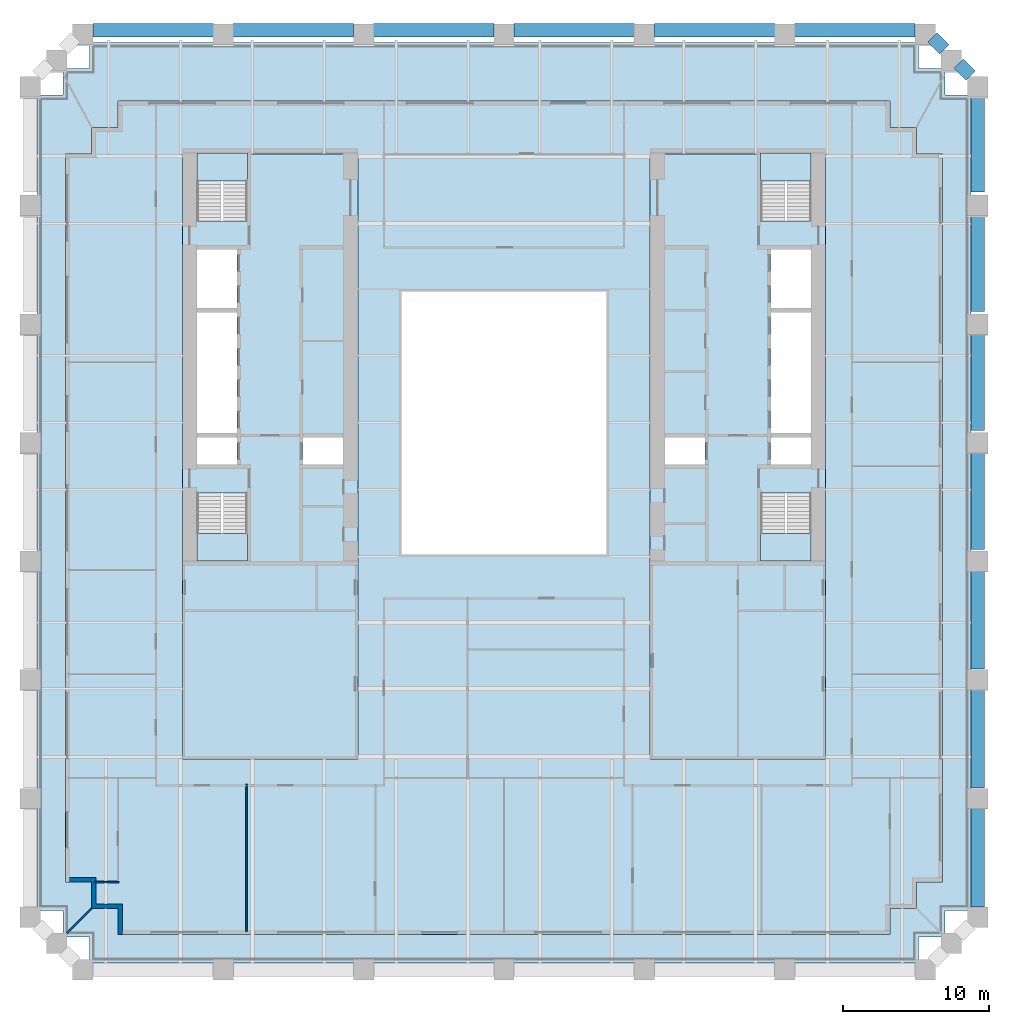
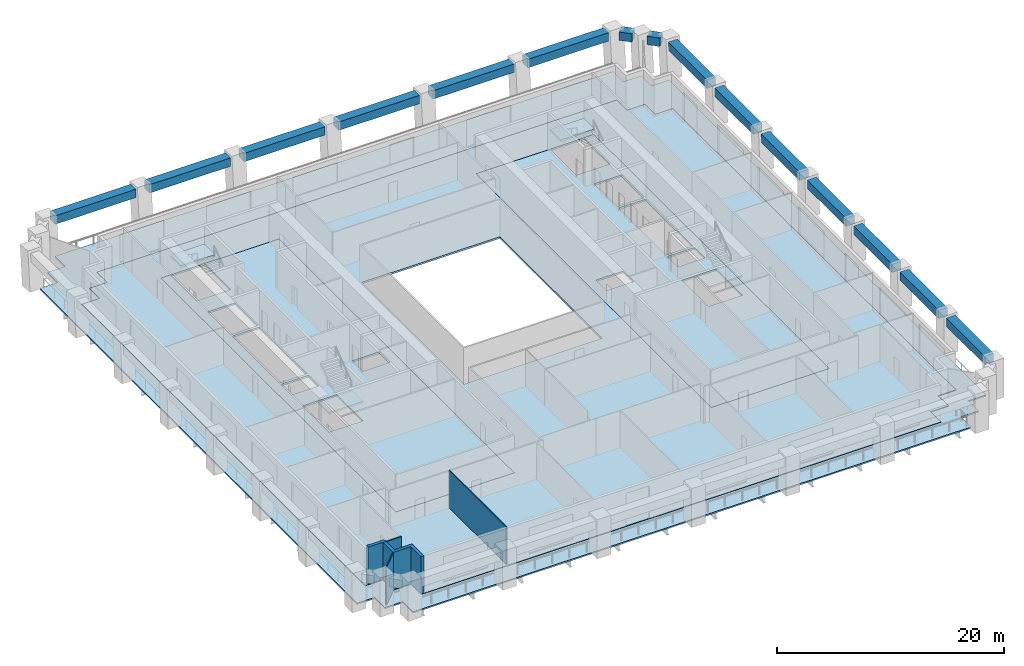
# One storey, part 2 of 9: 15 beams, 8 slabs, 4 walls, 4 elements without a shape of their own.
"""IFC4 building model written with IfcOpenShell, lengths in metres."""

from ifc_helpers import new_model, si_unit, direction, frame, frame_2d, origin, origin_2d, place, context, subcontext, project, spatial, polyline, rectangle, outline, extrude, material, layer, layer_set, material_profile, profile_set, type_object, element, aggregate, save


model = new_model("IFC4")

# Units and contexts
model_context = context("Model", 3, precision=1e-05, world=origin(), true_north=direction((0.0, 1.0)))
body_context = subcontext(model_context, "Body", "Model", "MODEL_VIEW")
ifc_project = project(units=[si_unit("LENGTHUNIT", "METRE"), si_unit("AREAUNIT", "SQUARE_METRE"), si_unit("VOLUMEUNIT", "CUBIC_METRE"), si_unit("PLANEANGLEUNIT", "RADIAN"), si_unit("MASSUNIT", "GRAM", prefix="KILO")], contexts=[model_context])

# Site, building, storey
site_placement = place(None, origin())
site = spatial("IfcSite", under=ifc_project, at=site_placement, CompositionType="ELEMENT")
building_placement = place(site_placement, origin())
building = spatial("IfcBuilding", under=site, at=building_placement, Name="Ogive Exchange Tower", CompositionType="ELEMENT")
storey_placement = place(building_placement, frame((0.0, 0.0, 56.39990234375)))
storey = spatial("IfcBuildingStorey", under=building, at=storey_placement, Name="L11", CompositionType="ELEMENT", Elevation=56.39990234375)

# Beams
ifc_material_1 = material(Name="Precast concrete C70/85 (limestone faced)", Category="masonry")
ifc_material_profile = material_profile(ifc_material_1, rectangle(XDim=0.89990234375, YDim=0.89990234375, at=origin_2d()), Name="900 x 900")
ifc_profile_set = profile_set([ifc_material_profile], Name="Precast concrete C70/85 (limestone faced)")
beam_type = type_object("IfcBeamType", Name="Precast spandrel 900 x 900 C70/85", PredefinedType="SPANDREL", material=ifc_profile_set)
for number, where, z_axis, x_axis, name in (
    (1, (32.39990234375, -26.1201171875, 3.5), (0.0, 1.0, 0.0), (-1.0, 0.0, 0.0), "Spandrel 9"),
    (2, (32.39990234375, -17.969482421875, 3.5), (0.0, 1.0, 0.0), (-1.0, 0.0, 0.0), "Spandrel 10"),
):
    element("IfcBeam", number, at=place(storey_placement, frame(where, z_axis=z_axis, x_axis=x_axis)), inside=storey, type_object=beam_type, Name=name, PredefinedType="SPANDREL", context=body_context, shape_type="SweptSolid", body=[
        extrude(rectangle(XDim=0.89990234375, YDim=0.89990234375, at=origin_2d()), origin(), (0.0, 0.0, 1.0), 6.790771484375),
    ])
beam_1_placement = place(storey_placement, frame((32.39990234375, -9.818603515625, 3.5), z_axis=(0.0, 1.0, 0.0), x_axis=(-1.0, 0.0, 0.0)))
element("IfcBeam", 3, at=beam_1_placement, inside=storey, type_object=beam_type, Name="Spandrel 11", PredefinedType="SPANDREL", context=body_context, shape_type="SweptSolid", body=[
    extrude(rectangle(XDim=0.89990234375, YDim=0.89990234375, at=origin_2d()), origin(), (0.0, 0.0, 1.0), 6.79052734375),
])
beam_2_placement = place(storey_placement, frame((32.39990234375, -1.668212890625, 3.5), z_axis=(0.0, 1.0, 0.0), x_axis=(-1.0, 0.0, 0.0)))
element("IfcBeam", 4, at=beam_2_placement, inside=storey, type_object=beam_type, Name="Spandrel 12", PredefinedType="SPANDREL", context=body_context, shape_type="SweptSolid", body=[
    extrude(rectangle(XDim=0.89990234375, YDim=0.89990234375, at=origin_2d()), origin(), (0.0, 0.0, 1.0), 6.790771484375),
])
for number, where, z_axis, x_axis, name in (
    (5, (32.39990234375, 6.482666015625, 3.5), (0.0, 1.0, 0.0), (-1.0, 0.0, 0.0), "Spandrel 13"),
    (6, (32.39990234375, 14.63330078125, 3.5), (0.0, 1.0, 0.0), (-1.0, 0.0, 0.0), "Spandrel 14"),
    (7, (32.39990234375, 22.783935546875, 3.5), (0.0, 1.0, 0.0), (-1.0, 0.0, 0.0), "Spandrel 15"),
):
    element("IfcBeam", number, at=place(storey_placement, frame(where, z_axis=z_axis, x_axis=x_axis)), inside=storey, type_object=beam_type, Name=name, PredefinedType="SPANDREL", context=body_context, shape_type="SweptSolid", body=[
        extrude(rectangle(XDim=0.89990234375, YDim=0.89990234375, at=origin_2d()), origin(), (0.0, 0.0, 1.0), 6.79052734375),
    ])
for number, where, z_axis, x_axis, name in (
    (8, (31.912109375, 30.742431640625, 3.5), (-0.707106781187, 0.707106781187, 0.0), (-0.707106781187, -0.707106781187, 0.0), "Spandrel 16"),
    (9, (30.112060546875, 32.54248046875, 3.5), (-0.707106781187, 0.707106781187, 0.0), (-0.707106781187, -0.707106781187, 0.0), "Spandrel 17"),
):
    element("IfcBeam", number, at=place(storey_placement, frame(where, z_axis=z_axis, x_axis=x_axis)), inside=storey, type_object=beam_type, Name=name, PredefinedType="SPANDREL", context=body_context, shape_type="SweptSolid", body=[
        extrude(rectangle(XDim=0.89990234375, YDim=0.89990234375, at=origin_2d()), origin(), (0.0, 0.0, 1.0), 1.16552734375),
    ])
beam_3_placement = place(storey_placement, frame((28.1201171875, 33.8544921875, 3.5), z_axis=(-1.0, 0.0, 0.0), x_axis=(0.0, -1.0, 0.0)))
element("IfcBeam", 10, at=beam_3_placement, inside=storey, type_object=beam_type, Name="Spandrel 18", PredefinedType="SPANDREL", context=body_context, shape_type="SweptSolid", body=[
    extrude(rectangle(XDim=0.89990234375, YDim=0.89990234375, at=origin_2d()), origin(), (0.0, 0.0, 1.0), 8.240234375),
])
for number, where, z_axis, x_axis, name in (
    (11, (18.52001953125, 33.8544921875, 3.5), (-1.0, 0.0, 0.0), (0.0, -1.0, 0.0), "Spandrel 19"),
    (12, (8.919921875, 33.8544921875, 3.5), (-1.0, 0.0, 0.0), (0.0, -1.0, 0.0), "Spandrel 20"),
    (13, (-0.679931640625, 33.8544921875, 3.5), (-1.0, 0.0, 0.0), (0.0, -1.0, 0.0), "Spandrel 21"),
    (14, (-10.280029296875, 33.8544921875, 3.5), (-1.0, 0.0, 0.0), (0.0, -1.0, 0.0), "Spandrel 22"),
):
    element("IfcBeam", number, at=place(storey_placement, frame(where, z_axis=z_axis, x_axis=x_axis)), inside=storey, type_object=beam_type, Name=name, PredefinedType="SPANDREL", context=body_context, shape_type="SweptSolid", body=[
        extrude(rectangle(XDim=0.89990234375, YDim=0.89990234375, at=origin_2d()), origin(), (0.0, 0.0, 1.0), 8.239990234375),
    ])
beam_4_placement = place(storey_placement, frame((-19.8798828125, 33.8544921875, 3.5), z_axis=(-1.0, 0.0, 0.0), x_axis=(0.0, -1.0, 0.0)))
element("IfcBeam", 15, at=beam_4_placement, inside=storey, type_object=beam_type, Name="Spandrel 23", PredefinedType="SPANDREL", context=body_context, shape_type="SweptSolid", body=[
    extrude(rectangle(XDim=0.89990234375, YDim=0.89990234375, at=origin_2d()), origin(), (0.0, 0.0, 1.0), 8.240234375),
])

# Slabs
ifc_material_2 = material(Name="Concrete C50/60", Category="concrete")
ifc_layer_1 = layer(ifc_material_2, 0.199951171875)
ifc_layer_set_1 = layer_set([ifc_layer_1], Name="Composite floor slab 200")
slab_type_1 = type_object("IfcSlabType", Name="Composite floor slab 200", PredefinedType="FLOOR", material=ifc_layer_set_1)
slab_1_placement = place(storey_placement, frame((0.0, 0.0, -0.199951171875)))
element("IfcSlab", 16, at=slab_1_placement, inside=storey, type_object=slab_type_1, Name="Composite floor slab", PredefinedType="FLOOR", context=body_context, shape_type="SweptSolid", body=[
    extrude(outline(polyline([(-26.39990234375, -26.199951171875), (-28.199951171875, -26.199951171875), (-28.199951171875, -24.39990234375), (-30.0, -24.39990234375), (-30.0, 25.39990234375), (-28.199951171875, 25.39990234375), (-28.199951171875, 27.199951171875), (-26.39990234375, 27.199951171875), (-26.39990234375, 29.0), (26.39990234375, 29.0), (26.39990234375, 27.199951171875), (28.199951171875, 27.199951171875), (28.199951171875, 25.39990234375), (30.0, 25.39990234375), (30.0, -24.39990234375), (28.199951171875, -24.39990234375), (28.199951171875, -26.199951171875), (26.39990234375, -26.199951171875), (26.39990234375, -28.0), (-26.39990234375, -28.0), (-26.39990234375, -26.199951171875)]), holes=[polyline([(-10.0, -16.0), (-10.0, 25.39990234375), (-22.0, 25.39990234375), (-22.0, -16.0), (-10.0, -16.0)]), polyline([(10.0, -16.0), (22.0, -16.0), (22.0, 25.39990234375), (10.0, 25.39990234375), (10.0, -16.0)]), polyline([(-7.0, -2.0), (7.0, -2.0), (7.0, 16.0), (-7.0, 16.0), (-7.0, -2.0)])]), origin(), (0.0, 0.0, 1.0), 0.199951171875),
])
ifc_material_3 = material(Name="Concrete C70/85", Category="concrete")
ifc_layer_2 = layer(ifc_material_3, 0.199951171875)
ifc_layer_set_2 = layer_set([ifc_layer_2], Name="Core floor slab 200")
slab_type_2 = type_object("IfcSlabType", Name="Core floor slab 200", PredefinedType="FLOOR", material=ifc_layer_set_2)
slab_2_placement = place(storey_placement, frame((0.0, 0.0, -0.199951171875)))
element("IfcSlab", 17, at=slab_2_placement, inside=storey, type_object=slab_type_2, Name="Core floor slab", PredefinedType="FLOOR", context=body_context, shape_type="SweptSolid", body=[
    extrude(outline(polyline([(-10.0, 25.39990234375), (-10.0, -16.0), (-22.0, -16.0), (-22.0, 25.39990234375), (-21.0, 25.39990234375), (-21.0, 20.803955078125), (-17.550048828125, 20.803955078125), (-17.550048828125, 25.39990234375), (-10.0, 25.39990234375)]), holes=[polyline([(-17.550048828125, 2.196044921875), (-21.0, 2.196044921875), (-21.0, -2.449951171875), (-17.550048828125, -2.449951171875), (-17.550048828125, 2.196044921875)]), polyline([(-18.25, 5.992919921875), (-21.0, 5.992919921875), (-21.0, 4.14990234375), (-18.25, 4.14990234375), (-18.25, 5.992919921875)]), polyline([(-11.0, 5.992919921875), (-13.75, 5.992919921875), (-13.75, 4.14990234375), (-11.0, 4.14990234375), (-11.0, 5.992919921875)]), polyline([(-21.0, 14.564208984375), (-21.0, 6.29296875), (-18.25, 6.29296875), (-18.25, 14.564208984375), (-21.0, 14.564208984375)]), polyline([(-18.25, 18.85009765625), (-21.0, 18.85009765625), (-21.0, 14.8642578125), (-18.25, 14.8642578125), (-18.25, 18.85009765625)])]), origin(), (0.0, 0.0, 1.0), 0.199951171875),
])
slab_3_placement = place(storey_placement, frame((0.0, 0.0, -0.199951171875)))
element("IfcSlab", 18, at=slab_3_placement, inside=storey, type_object=slab_type_2, Name="Core floor slab", PredefinedType="FLOOR", context=body_context, shape_type="SweptSolid", body=[
    extrude(outline(polyline([(22.0, 25.39990234375), (22.0, -16.0), (10.0, -16.0), (10.0, 25.39990234375), (17.550048828125, 25.39990234375), (17.550048828125, 20.803955078125), (21.0, 20.803955078125), (21.0, 25.39990234375), (22.0, 25.39990234375)]), holes=[polyline([(21.0, 2.196044921875), (17.550048828125, 2.196044921875), (17.550048828125, -2.449951171875), (21.0, -2.449951171875), (21.0, 2.196044921875)]), polyline([(13.75, 5.992919921875), (11.0, 5.992919921875), (11.0, 4.14990234375), (13.75, 4.14990234375), (13.75, 5.992919921875)]), polyline([(21.0, 5.992919921875), (18.25, 5.992919921875), (18.25, 4.14990234375), (21.0, 4.14990234375), (21.0, 5.992919921875)]), polyline([(18.25, 14.564208984375), (18.25, 6.29296875), (21.0, 6.29296875), (21.0, 14.564208984375), (18.25, 14.564208984375)]), polyline([(21.0, 18.85009765625), (18.25, 18.85009765625), (18.25, 14.8642578125), (21.0, 14.8642578125), (21.0, 18.85009765625)])]), origin(), (0.0, 0.0, 1.0), 0.199951171875),
])
ifc_layer_3 = layer(ifc_material_2, 0.14990234375)
ifc_layer_set_3 = layer_set([ifc_layer_3], Name="Loggia deck 150")
slab_type_3 = type_object("IfcSlabType", Name="Loggia deck 150", PredefinedType="FLOOR", material=ifc_layer_set_3)
slab_4_placement = place(storey_placement, frame((0.0, 0.0, -0.199951171875)))
element("IfcSlab", 19, at=slab_4_placement, inside=storey, type_object=slab_type_3, Name="Loggia deck", PredefinedType="FLOOR", context=body_context, shape_type="SweptSolid", body=[
    extrude(outline(polyline([(-28.35009765625, -28.14990234375), (-30.14990234375, -28.14990234375), (-30.14990234375, -26.35009765625), (-31.949951171875, -26.35009765625), (-31.949951171875, 29.422607421875), (-30.14990234375, 29.422607421875), (-30.14990234375, 31.22265625), (-28.35009765625, 31.22265625), (-28.35009765625, 33.022705078125), (28.35009765625, 33.022705078125), (28.35009765625, 31.22265625), (30.14990234375, 31.22265625), (30.14990234375, 29.422607421875), (31.949951171875, 29.422607421875), (31.949951171875, -26.35009765625), (30.14990234375, -26.35009765625), (30.14990234375, -28.14990234375), (28.35009765625, -28.14990234375), (28.35009765625, -29.949951171875), (-28.35009765625, -29.949951171875), (-28.35009765625, -28.14990234375)]), holes=[polyline([(26.39990234375, -26.199951171875), (28.199951171875, -26.199951171875), (28.199951171875, -24.39990234375), (30.0, -24.39990234375), (30.0, 25.39990234375), (28.199951171875, 25.39990234375), (28.199951171875, 27.199951171875), (26.39990234375, 27.199951171875), (26.39990234375, 29.0), (-26.39990234375, 29.0), (-26.39990234375, 27.199951171875), (-28.199951171875, 27.199951171875), (-28.199951171875, 25.39990234375), (-30.0, 25.39990234375), (-30.0, -24.39990234375), (-28.199951171875, -24.39990234375), (-28.199951171875, -26.199951171875), (-26.39990234375, -26.199951171875), (-26.39990234375, -28.0), (26.39990234375, -28.0), (26.39990234375, -26.199951171875)])]), origin(), (0.0, 0.0, 1.0), 0.150146484375),
])

# Stair, slab
ifc_material_4 = material(Name="Concrete C40/50", Category="concrete")
stair_type = type_object("IfcStairType", Name="Exit stair 1650 wide", PredefinedType="HALF_TURN_STAIR", material=ifc_material_4)
stair_1_placement = place(storey_placement, origin())
stair_1 = element("IfcStair", 20, at=stair_1_placement, inside=storey, type_object=stair_type, Name="L11 exit stair ST1", PredefinedType="HALF_TURN_STAIR")
ifc_layer_4 = layer(ifc_material_4, 0.199951171875)
ifc_layer_set_4 = layer_set([ifc_layer_4], Name="Stair landing 200 slab")
slab_type_4 = type_object("IfcSlabType", Name="Stair landing 200 slab", PredefinedType="LANDING", material=ifc_layer_set_4)
slab_5_placement = place(storey_placement, frame((0.0, 0.0, 1.900146484375)))
slab_5 = element("IfcSlab", 21, at=slab_5_placement, type_object=slab_type_4, Name="ST1 landing 1", PredefinedType="LANDING", context=body_context, shape_type="SweptSolid", body=[
    extrude(outline(polyline([(-21.0, -0.550048828125), (-21.0, -2.449951171875), (-17.550048828125, -2.449951171875), (-17.550048828125, -0.550048828125), (-21.0, -0.550048828125)])), origin(), (0.0, 0.0, 1.0), 0.199951171875),
])
aggregate(stair_1, [slab_5])

stair_2_placement = place(storey_placement, origin())
stair_2 = element("IfcStair", 22, at=stair_2_placement, inside=storey, type_object=stair_type, Name="L11 exit stair ST2", PredefinedType="HALF_TURN_STAIR")
slab_6_placement = place(storey_placement, frame((0.0, 0.0, 1.900146484375)))
slab_6 = element("IfcSlab", 23, at=slab_6_placement, type_object=slab_type_4, Name="ST2 landing 1", PredefinedType="LANDING", context=body_context, shape_type="SweptSolid", body=[
    extrude(outline(polyline([(-17.550048828125, 23.550048828125), (-17.550048828125, 25.449951171875), (-21.0, 25.449951171875), (-21.0, 23.550048828125), (-17.550048828125, 23.550048828125)])), origin(), (0.0, 0.0, 1.0), 0.199951171875),
])
aggregate(stair_2, [slab_6])

stair_3_placement = place(storey_placement, origin())
stair_3 = element("IfcStair", 24, at=stair_3_placement, inside=storey, type_object=stair_type, Name="L11 exit stair ST3", PredefinedType="HALF_TURN_STAIR")
slab_7_placement = place(storey_placement, frame((0.0, 0.0, 1.900146484375)))
slab_7 = element("IfcSlab", 25, at=slab_7_placement, type_object=slab_type_4, Name="ST3 landing 1", PredefinedType="LANDING", context=body_context, shape_type="SweptSolid", body=[
    extrude(outline(polyline([(17.550048828125, -0.550048828125), (17.550048828125, -2.449951171875), (21.0, -2.449951171875), (21.0, -0.550048828125), (17.550048828125, -0.550048828125)])), origin(), (0.0, 0.0, 1.0), 0.199951171875),
])
aggregate(stair_3, [slab_7])

stair_4_placement = place(storey_placement, origin())
stair_4 = element("IfcStair", 26, at=stair_4_placement, inside=storey, type_object=stair_type, Name="L11 exit stair ST4", PredefinedType="HALF_TURN_STAIR")
slab_8_placement = place(storey_placement, frame((0.0, 0.0, 1.900146484375)))
slab_8 = element("IfcSlab", 27, at=slab_8_placement, type_object=slab_type_4, Name="ST4 landing 1", PredefinedType="LANDING", context=body_context, shape_type="SweptSolid", body=[
    extrude(outline(polyline([(21.0, 23.550048828125), (21.0, 25.449951171875), (17.550048828125, 25.449951171875), (17.550048828125, 23.550048828125), (21.0, 23.550048828125)])), origin(), (0.0, 0.0, 1.0), 0.199951171875),
])
aggregate(stair_4, [slab_8])

# Walls
ifc_material_5 = material(Name="Precast concrete C40/50", Category="concrete")
ifc_layer_5 = layer(ifc_material_5, 0.300048828125)
ifc_layer_set_5 = layer_set([ifc_layer_5], Name="Limestone-faced wall 300")
wall_type_1 = type_object("IfcWallType", Name="Limestone-faced wall 300", PredefinedType="STANDARD", material=ifc_layer_set_5)
wall_1_placement = place(storey_placement, origin())
element("IfcWall", 28, at=wall_1_placement, inside=storey, type_object=wall_type_1, Name="External corner wall C4", PredefinedType="STANDARD", context=body_context, shape_type="SweptSolid", body=[
    extrude(outline(polyline([(-26.39990234375, -26.199951171875), (-28.199951171875, -26.199951171875), (-28.199951171875, -24.39990234375), (-29.699951171875, -24.39990234375), (-29.699951171875, -24.10009765625), (-27.89990234375, -24.10009765625), (-27.89990234375, -25.89990234375), (-26.10009765625, -25.89990234375), (-26.10009765625, -28.0), (-26.39990234375, -28.0), (-26.39990234375, -26.199951171875)])), origin(), (0.0, 0.0, 1.0), 4.0),
])
ifc_material_6 = material(Name="Laminated safety glass in steel frame", Category="steel")
ifc_layer_6 = layer(ifc_material_6, 0.10009765625)
ifc_layer_set_6 = layer_set([ifc_layer_6], Name="Loggia end screen 100")
wall_type_2 = type_object("IfcWallType", Name="Loggia end screen 100", PredefinedType="STANDARD", material=ifc_layer_set_6)
wall_2_placement = place(storey_placement, frame((-28.199951171875, -26.199951171875, -0.0498046875), z_axis=(0.0, 0.0, 1.0), x_axis=(-0.707106781187, -0.707106781187, 0.0)))
element("IfcWall", 29, at=wall_2_placement, inside=storey, type_object=wall_type_2, Name="Loggia end screen C4", PredefinedType="STANDARD", context=body_context, shape_type="SweptSolid", body=[
    extrude(rectangle(XDim=2.384521484375, YDim=0.10009765625, at=frame_2d((1.1923828125, 0.0))), origin(), (0.0, 0.0, 1.0), 4.0498046875),
])
ifc_material_7 = material(Name="Partition 100 gypsum")
ifc_layer_7 = layer(ifc_material_7, 0.10009765625)
ifc_layer_set_7 = layer_set([ifc_layer_7], Name="Partition 100 gypsum")
wall_type_3 = type_object("IfcWallType", Name="Partition 100 gypsum", PredefinedType="PARTITIONING", material=ifc_layer_set_7)
wall_3_placement = place(storey_placement, frame((-28.0, -24.409912109375, 0.0), z_axis=(0.0, 0.0, 1.0), x_axis=(1.0, 0.0, 0.0)))
element("IfcWall", 30, at=wall_3_placement, inside=storey, type_object=wall_type_3, Name="L11-PWL-001", PredefinedType="PARTITIONING", context=body_context, shape_type="SweptSolid", body=[
    extrude(rectangle(XDim=1.64990234375, YDim=0.10009765625, at=frame_2d((0.824951171875, 0.0))), origin(), (0.0, 0.0, 1.0), 4.0),
])
wall_4_placement = place(storey_placement, frame((-17.60009765625, -27.800048828125, 0.0), z_axis=(0.0, 0.0, 1.0), x_axis=(0.0, 1.0, 0.0)))
element("IfcWall", 31, at=wall_4_placement, inside=storey, type_object=wall_type_3, Name="L11-PWL-014", PredefinedType="PARTITIONING", context=body_context, shape_type="SweptSolid", body=[
    extrude(rectangle(XDim=10.074951171875, YDim=0.10009765625, at=frame_2d((5.03759765625, 0.0))), origin(), (0.0, 0.0, 1.0), 4.0),
])

save(model, "model.ifc")
